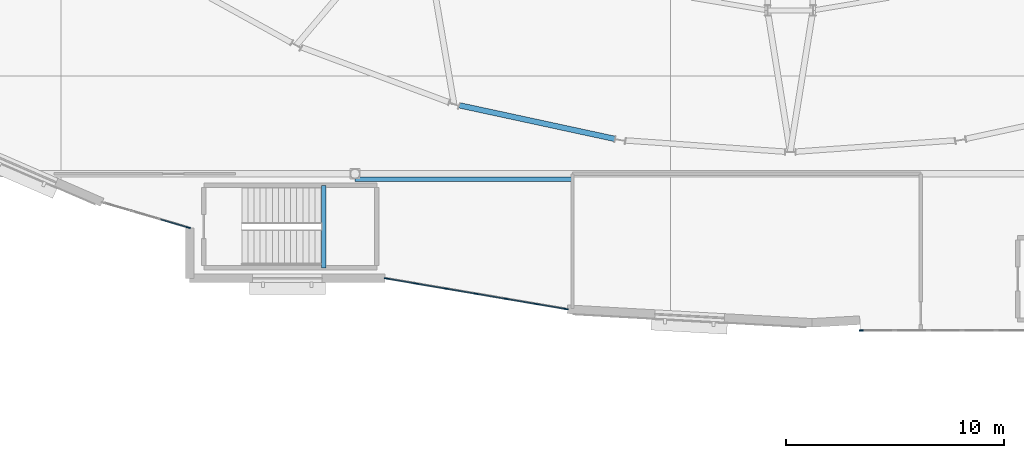
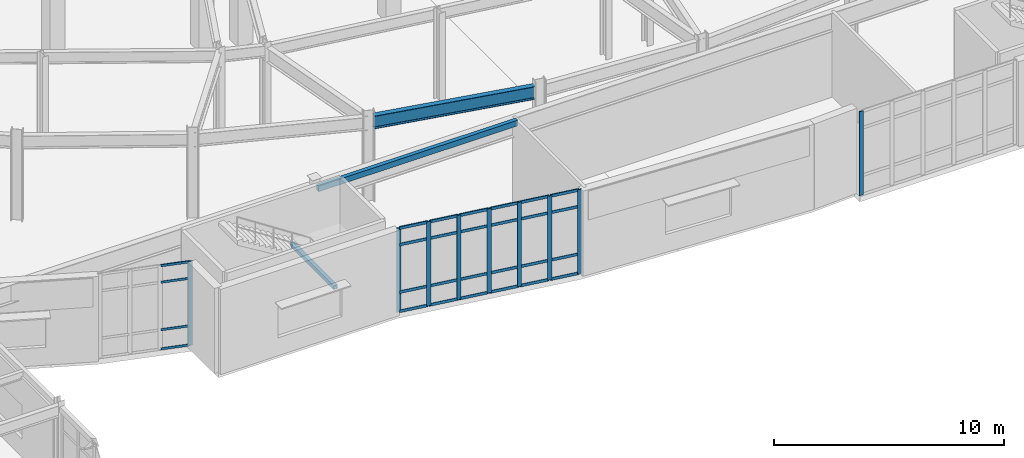
# One storey, part 34 of 86: 37 members, 3 beams, 3 elements without a shape of their own.
"""IFC4 building model written with IfcOpenShell, lengths in metres."""

from ifc_helpers import new_model, si_unit, direction, frame, origin, origin_2d, place, context, subcontext, project, spatial, rectangle, hollow_rectangle, i_section, extrude, material, material_profile, profile_set, type_object, element, aggregate, save


model = new_model("IFC4")

# Units and contexts
model_context = context("Model", 3, precision=1e-05, world=origin(), true_north=direction((0.0, 1.0)))
body_context = subcontext(model_context, "Body", "Model", "MODEL_VIEW")
ifc_project = project(units=[si_unit("LENGTHUNIT", "METRE"), si_unit("AREAUNIT", "SQUARE_METRE"), si_unit("VOLUMEUNIT", "CUBIC_METRE"), si_unit("PLANEANGLEUNIT", "RADIAN"), si_unit("MASSUNIT", "GRAM", prefix="KILO")], contexts=[model_context])

# Site, building, storey
site_placement = place(None, origin())
site = spatial("IfcSite", under=ifc_project, at=site_placement, CompositionType="ELEMENT")
building_placement = place(site_placement, origin())
building = spatial("IfcBuilding", under=site, at=building_placement, Name="Glasvene Arena", CompositionType="ELEMENT")
storey_placement = place(building_placement, frame((0.0, 0.0, 5.39990234375)))
storey = spatial("IfcBuildingStorey", under=building, at=storey_placement, Name="L01", CompositionType="ELEMENT", Elevation=5.39990234375)

# Beams
ifc_material_1 = material(Name="Steel S355J2", Category="steel")
ifc_material_profile_1 = material_profile(ifc_material_1, i_section(OverallWidth=0.253662109375, OverallDepth=0.68359375, WebThickness=0.012451171875, FlangeThickness=0.01904296875, FilletRadius=0.01513671875, at=origin_2d()), Name="UKB 686x254x140")
ifc_profile_set_1 = profile_set([ifc_material_profile_1], Name="Steel S355J2")
beam_type_1 = type_object("IfcBeamType", Name="BM-GIRD-686", PredefinedType="BEAM", material=ifc_profile_set_1)
beam_1_placement = place(storey_placement, frame((76.78369140625, 30.15185546875, 4.178466796875), z_axis=(0.97744150895, -0.211206289161, 0.0), x_axis=(0.211206289161, 0.97744150895, 0.0)))
element("IfcBeam", 1, at=beam_1_placement, inside=storey, type_object=beam_type_1, Name="Bowl ring chord beam L01-29", PredefinedType="BEAM", context=body_context, shape_type="SweptSolid", body=[
    extrude(i_section(OverallWidth=0.253662109375, OverallDepth=0.68359375, WebThickness=0.012451171875, FlangeThickness=0.01904296875, FilletRadius=0.01513671875, at=origin_2d()), origin(), (0.0, 0.0, 1.0), 7.3251953125),
])
ifc_material_profile_2 = material_profile(ifc_material_1, hollow_rectangle(XDim=0.199951171875, YDim=0.199951171875, WallThickness=0.010009765625, at=origin_2d()), Name="SHS 200x200x10.0")
ifc_profile_set_2 = profile_set([ifc_material_profile_2], Name="Steel S355J2")
beam_type_2 = type_object("IfcBeamType", Name="BM-LINTEL-200", PredefinedType="LINTEL", material=ifc_profile_set_2)
beam_2_placement = place(storey_placement, frame((70.56005859375, 22.679931640625, 2.080078125), z_axis=(0.0, 1.0, 0.0), x_axis=(-1.0, 0.0, 0.0)))
element("IfcBeam", 2, at=beam_2_placement, inside=storey, type_object=beam_type_2, Name="Stair half-landing support beam ST-08-L01", PredefinedType="LINTEL", context=body_context, shape_type="SweptSolid", body=[
    extrude(hollow_rectangle(XDim=0.199951171875, YDim=0.199951171875, WallThickness=0.010009765625, at=origin_2d()), origin(), (0.0, 0.0, 1.0), 3.7900390625),
])
ifc_material_profile_3 = material_profile(ifc_material_1, hollow_rectangle(XDim=0.199951171875, YDim=0.300048828125, WallThickness=0.012451171875, at=origin_2d()), Name="RHS 300x200x12.5")
ifc_profile_set_3 = profile_set([ifc_material_profile_3], Name="Steel S355J2")
beam_type_3 = type_object("IfcBeamType", Name="BM-SPAND-300", PredefinedType="SPANDREL", material=ifc_profile_set_3)
beam_3_placement = place(storey_placement, frame((72.0, 26.75, 4.3701171875), z_axis=(1.0, 0.0, 0.0), x_axis=(0.0, 1.0, 0.0)))
element("IfcBeam", 3, at=beam_3_placement, inside=storey, type_object=beam_type_3, Name="Step 2 south edge spandrel L01", PredefinedType="SPANDREL", context=body_context, shape_type="SweptSolid", body=[
    extrude(hollow_rectangle(XDim=0.199951171875, YDim=0.300048828125, WallThickness=0.012451171875, at=origin_2d()), origin(), (0.0, 0.0, 1.0), 10.0),
])

# Curtain wall, member
ifc_material_2 = material(Name="Low-emissivity laminated double glazing", Category="glass")
curtain_wall_type_1 = type_object("IfcCurtainWallType", Name="CW-FAC-L01-777x446", PredefinedType="USERDEFINED", material=ifc_material_2)
curtain_wall_1_placement = place(storey_placement, frame((103.010009765625, 19.800048828125, 0.0)))
curtain_wall_1 = element("IfcCurtainWall", 4, at=curtain_wall_1_placement, inside=storey, type_object=curtain_wall_type_1, Name="Unitised curtain wall CW-F-L01-180-991-198-43", ObjectType="CURTAIN WALL", PredefinedType="USERDEFINED")
ifc_material_3 = material(Name="Anodised architectural aluminium", Category="aluminium")
ifc_material_profile_4 = material_profile(ifc_material_3, rectangle(XDim=0.050048828125, YDim=0.199951171875, at=origin_2d()), Name="ALU MULLION 50x200")
ifc_profile_set_4 = profile_set([ifc_material_profile_4], Name="Anodised architectural aluminium")
member_type_1 = type_object("IfcMemberType", Name="CW-MUL-180", PredefinedType="MULLION", material=ifc_profile_set_4)
member_1_placement = place(storey_placement, frame((95.264892578125, 19.800048828125, 0.06005859375), z_axis=(0.0, 0.0, 1.0), x_axis=(0.0, -1.0, 0.0)))
member_1 = element("IfcMember", 5, at=member_1_placement, type_object=member_type_1, Name="CW-013 mullion 6", PredefinedType="MULLION", context=body_context, shape_type="SweptSolid", body=[
    extrude(rectangle(XDim=0.050048828125, YDim=0.199951171875, at=origin_2d()), origin(), (0.0, 0.0, 1.0), 4.4599609375),
])
aggregate(curtain_wall_1, [member_1])

# Curtain wall, members
curtain_wall_type_2 = type_object("IfcCurtainWallType", Name="CW-FAC-L01-842x446", PredefinedType="USERDEFINED", material=ifc_material_2)
curtain_wall_2_placement = place(storey_placement, frame((81.720703125, 20.78271484375, 0.0)))
curtain_wall_2 = element("IfcCurtainWall", 6, at=curtain_wall_2_placement, inside=storey, type_object=curtain_wall_type_2, Name="Unitised curtain wall CW-F-L01-180-776-215-46", ObjectType="CURTAIN WALL", PredefinedType="USERDEFINED")
member_2_placement = place(storey_placement, frame((81.696044921875, 20.786865234375, 0.06005859375), z_axis=(0.0, 0.0, 1.0), x_axis=(-0.167514008144, -0.985869695789, 0.0)))
member_2 = element("IfcMember", 7, at=member_2_placement, type_object=member_type_1, Name="CW-014 mullion 1", PredefinedType="MULLION", context=body_context, shape_type="SweptSolid", body=[
    extrude(rectangle(XDim=0.050048828125, YDim=0.199951171875, at=origin_2d()), origin(), (0.0, 0.0, 1.0), 4.4599609375),
])
member_3_placement = place(storey_placement, frame((80.337158203125, 21.017822265625, 0.06005859375), z_axis=(0.0, 0.0, 1.0), x_axis=(-0.167514008144, -0.985869695789, 0.0)))
member_3 = element("IfcMember", 8, at=member_3_placement, type_object=member_type_1, Name="CW-014 mullion 2", PredefinedType="MULLION", context=body_context, shape_type="SweptSolid", body=[
    extrude(rectangle(XDim=0.050048828125, YDim=0.199951171875, at=origin_2d()), origin(), (0.0, 0.0, 1.0), 4.4599609375),
])
member_4_placement = place(storey_placement, frame((78.95361328125, 21.2529296875, 0.06005859375), z_axis=(0.0, 0.0, 1.0), x_axis=(-0.167514008144, -0.985869695789, 0.0)))
member_4 = element("IfcMember", 9, at=member_4_placement, type_object=member_type_1, Name="CW-014 mullion 3", PredefinedType="MULLION", context=body_context, shape_type="SweptSolid", body=[
    extrude(rectangle(XDim=0.050048828125, YDim=0.199951171875, at=origin_2d()), origin(), (0.0, 0.0, 1.0), 4.4599609375),
])
member_5_placement = place(storey_placement, frame((77.56982421875, 21.488037109375, 0.06005859375), z_axis=(0.0, 0.0, 1.0), x_axis=(-0.167514008144, -0.985869695789, 0.0)))
member_5 = element("IfcMember", 10, at=member_5_placement, type_object=member_type_1, Name="CW-014 mullion 4", PredefinedType="MULLION", context=body_context, shape_type="SweptSolid", body=[
    extrude(rectangle(XDim=0.050048828125, YDim=0.199951171875, at=origin_2d()), origin(), (0.0, 0.0, 1.0), 4.4599609375),
])
member_6_placement = place(storey_placement, frame((76.186279296875, 21.72314453125, 0.06005859375), z_axis=(0.0, 0.0, 1.0), x_axis=(-0.167514008144, -0.985869695789, 0.0)))
member_6 = element("IfcMember", 11, at=member_6_placement, type_object=member_type_1, Name="CW-014 mullion 5", PredefinedType="MULLION", context=body_context, shape_type="SweptSolid", body=[
    extrude(rectangle(XDim=0.050048828125, YDim=0.199951171875, at=origin_2d()), origin(), (0.0, 0.0, 1.0), 4.4599609375),
])
member_7_placement = place(storey_placement, frame((74.802734375, 21.958251953125, 0.06005859375), z_axis=(0.0, 0.0, 1.0), x_axis=(-0.167514008144, -0.985869695789, 0.0)))
member_7 = element("IfcMember", 12, at=member_7_placement, type_object=member_type_1, Name="CW-014 mullion 6", PredefinedType="MULLION", context=body_context, shape_type="SweptSolid", body=[
    extrude(rectangle(XDim=0.050048828125, YDim=0.199951171875, at=origin_2d()), origin(), (0.0, 0.0, 1.0), 4.4599609375),
])
member_8_placement = place(storey_placement, frame((73.443603515625, 22.189208984375, 0.06005859375), z_axis=(0.0, 0.0, 1.0), x_axis=(-0.167514008144, -0.985869695789, 0.0)))
member_8 = element("IfcMember", 13, at=member_8_placement, type_object=member_type_1, Name="CW-014 mullion 7", PredefinedType="MULLION", context=body_context, shape_type="SweptSolid", body=[
    extrude(rectangle(XDim=0.050048828125, YDim=0.199951171875, at=origin_2d()), origin(), (0.0, 0.0, 1.0), 4.4599609375),
])

curtain_wall_type_3 = type_object("IfcCurtainWallType", Name="CW-FAC-L01-411x446", PredefinedType="USERDEFINED", material=ifc_material_2)
curtain_wall_3_placement = place(storey_placement, frame((64.361572265625, 24.525390625, 0.0)))
curtain_wall_3 = element("IfcCurtainWall", 14, at=curtain_wall_3_placement, inside=storey, type_object=curtain_wall_type_3, Name="Unitised curtain wall CW-F-L01-180-624-251-49", ObjectType="CURTAIN WALL", PredefinedType="USERDEFINED")
member_9_placement = place(storey_placement, frame((64.337646484375, 24.532470703125, 0.06005859375), z_axis=(0.0, 0.0, 1.0), x_axis=(-0.28128589414, -0.959624012704, 0.0)))
member_9 = element("IfcMember", 15, at=member_9_placement, type_object=member_type_1, Name="CW-015 mullion 1", PredefinedType="MULLION", context=body_context, shape_type="SweptSolid", body=[
    extrude(rectangle(XDim=0.050048828125, YDim=0.199951171875, at=origin_2d()), origin(), (0.0, 0.0, 1.0), 4.4599609375),
])
ifc_material_profile_5 = material_profile(ifc_material_3, rectangle(XDim=0.050048828125, YDim=0.1201171875, at=origin_2d()), Name="ALU TRANSOM 50x120")
ifc_profile_set_5 = profile_set([ifc_material_profile_5], Name="Anodised architectural aluminium")
member_type_2 = type_object("IfcMemberType", Name="CW-TRN-120", PredefinedType="USERDEFINED", material=ifc_profile_set_5)
member_10_placement = place(storey_placement, frame((64.313720703125, 24.53955078125, 0.085205078125), z_axis=(-0.959644341566, 0.281216531697, 0.0), x_axis=(-0.281216531697, -0.959644341566, 0.0)))
member_10 = element("IfcMember", 16, at=member_10_placement, type_object=member_type_2, Name="CW-015 transom 1.1", ObjectType="TRANSOM", PredefinedType="USERDEFINED", context=body_context, shape_type="SweptSolid", body=[
    extrude(rectangle(XDim=0.050048828125, YDim=0.1201171875, at=origin_2d()), origin(), (0.0, 0.0, 1.0), 1.29443359375),
])
member_11_placement = place(storey_placement, frame((64.313720703125, 24.53955078125, 1.10009765625), z_axis=(-0.959644341566, 0.281216531697, 0.0), x_axis=(-0.281216531697, -0.959644341566, 0.0)))
member_11 = element("IfcMember", 17, at=member_11_placement, type_object=member_type_2, Name="CW-015 transom 1.2", ObjectType="TRANSOM", PredefinedType="USERDEFINED", context=body_context, shape_type="SweptSolid", body=[
    extrude(rectangle(XDim=0.050048828125, YDim=0.1201171875, at=origin_2d()), origin(), (0.0, 0.0, 1.0), 1.29443359375),
])
member_12_placement = place(storey_placement, frame((64.313720703125, 24.53955078125, 3.6201171875), z_axis=(-0.959644341566, 0.281216531697, 0.0), x_axis=(-0.281216531697, -0.959644341566, 0.0)))
member_12 = element("IfcMember", 18, at=member_12_placement, type_object=member_type_2, Name="CW-015 transom 1.3", ObjectType="TRANSOM", PredefinedType="USERDEFINED", context=body_context, shape_type="SweptSolid", body=[
    extrude(rectangle(XDim=0.050048828125, YDim=0.1201171875, at=origin_2d()), origin(), (0.0, 0.0, 1.0), 1.29443359375),
])
member_13_placement = place(storey_placement, frame((64.313720703125, 24.53955078125, 4.4951171875), z_axis=(-0.959644341566, 0.281216531697, 0.0), x_axis=(-0.281216531697, -0.959644341566, 0.0)))
member_13 = element("IfcMember", 19, at=member_13_placement, type_object=member_type_2, Name="CW-015 transom 1.4", ObjectType="TRANSOM", PredefinedType="USERDEFINED", context=body_context, shape_type="SweptSolid", body=[
    extrude(rectangle(XDim=0.050048828125, YDim=0.1201171875, at=origin_2d()), origin(), (0.0, 0.0, 1.0), 1.29443359375),
])
aggregate(curtain_wall_3, [member_9, member_10, member_11, member_12, member_13])

# Member
ifc_material_profile_6 = material_profile(ifc_material_3, rectangle(XDim=0.050048828125, YDim=0.14990234375, at=origin_2d()), Name="ALU TRANSOM 50x150")
ifc_profile_set_6 = profile_set([ifc_material_profile_6], Name="Anodised architectural aluminium")
member_type_3 = type_object("IfcMemberType", Name="CW-TRN-150", PredefinedType="USERDEFINED", material=ifc_profile_set_6)
member_14_placement = place(storey_placement, frame((81.67138671875, 20.791015625, 0.085205078125), z_axis=(-0.985852202423, 0.167616929271, 0.0), x_axis=(-0.167616929271, -0.985852202423, 0.0)))
member_14 = element("IfcMember", 20, at=member_14_placement, type_object=member_type_3, Name="CW-014 transom 1.1", ObjectType="TRANSOM", PredefinedType="USERDEFINED", context=body_context, shape_type="SweptSolid", body=[
    extrude(rectangle(XDim=0.050048828125, YDim=0.14990234375, at=origin_2d()), origin(), (0.0, 0.0, 1.0), 1.328369140625),
])

member_15_placement = place(storey_placement, frame((81.67138671875, 20.791015625, 1.10009765625), z_axis=(-0.985852202423, 0.167616929271, 0.0), x_axis=(-0.167616929271, -0.985852202423, 0.0)))
member_15 = element("IfcMember", 21, at=member_15_placement, type_object=member_type_3, Name="CW-014 transom 1.2", ObjectType="TRANSOM", PredefinedType="USERDEFINED", context=body_context, shape_type="SweptSolid", body=[
    extrude(rectangle(XDim=0.050048828125, YDim=0.14990234375, at=origin_2d()), origin(), (0.0, 0.0, 1.0), 1.328369140625),
])

member_16_placement = place(storey_placement, frame((81.67138671875, 20.791015625, 3.6201171875), z_axis=(-0.985852202423, 0.167616929271, 0.0), x_axis=(-0.167616929271, -0.985852202423, 0.0)))
member_16 = element("IfcMember", 22, at=member_16_placement, type_object=member_type_3, Name="CW-014 transom 1.3", ObjectType="TRANSOM", PredefinedType="USERDEFINED", context=body_context, shape_type="SweptSolid", body=[
    extrude(rectangle(XDim=0.050048828125, YDim=0.14990234375, at=origin_2d()), origin(), (0.0, 0.0, 1.0), 1.328369140625),
])

member_17_placement = place(storey_placement, frame((81.67138671875, 20.791015625, 4.4951171875), z_axis=(-0.985852202423, 0.167616929271, 0.0), x_axis=(-0.167616929271, -0.985852202423, 0.0)))
member_17 = element("IfcMember", 23, at=member_17_placement, type_object=member_type_3, Name="CW-014 transom 1.4", ObjectType="TRANSOM", PredefinedType="USERDEFINED", context=body_context, shape_type="SweptSolid", body=[
    extrude(rectangle(XDim=0.050048828125, YDim=0.14990234375, at=origin_2d()), origin(), (0.0, 0.0, 1.0), 1.328369140625),
])

member_18_placement = place(storey_placement, frame((80.3125, 21.02197265625, 0.085205078125), z_axis=(-0.985857336917, 0.167586727538, 0.0), x_axis=(-0.167586727538, -0.985857336917, 0.0)))
member_18 = element("IfcMember", 24, at=member_18_placement, type_object=member_type_3, Name="CW-014 transom 2.1", ObjectType="TRANSOM", PredefinedType="USERDEFINED", context=body_context, shape_type="SweptSolid", body=[
    extrude(rectangle(XDim=0.050048828125, YDim=0.14990234375, at=origin_2d()), origin(), (0.0, 0.0, 1.0), 1.353271484375),
])

member_19_placement = place(storey_placement, frame((80.3125, 21.02197265625, 1.10009765625), z_axis=(-0.985857336917, 0.167586727538, 0.0), x_axis=(-0.167586727538, -0.985857336917, 0.0)))
member_19 = element("IfcMember", 25, at=member_19_placement, type_object=member_type_3, Name="CW-014 transom 2.2", ObjectType="TRANSOM", PredefinedType="USERDEFINED", context=body_context, shape_type="SweptSolid", body=[
    extrude(rectangle(XDim=0.050048828125, YDim=0.14990234375, at=origin_2d()), origin(), (0.0, 0.0, 1.0), 1.353271484375),
])

member_20_placement = place(storey_placement, frame((80.3125, 21.02197265625, 3.6201171875), z_axis=(-0.985857336917, 0.167586727538, 0.0), x_axis=(-0.167586727538, -0.985857336917, 0.0)))
member_20 = element("IfcMember", 26, at=member_20_placement, type_object=member_type_3, Name="CW-014 transom 2.3", ObjectType="TRANSOM", PredefinedType="USERDEFINED", context=body_context, shape_type="SweptSolid", body=[
    extrude(rectangle(XDim=0.050048828125, YDim=0.14990234375, at=origin_2d()), origin(), (0.0, 0.0, 1.0), 1.353271484375),
])

member_21_placement = place(storey_placement, frame((80.3125, 21.02197265625, 4.4951171875), z_axis=(-0.985857336917, 0.167586727538, 0.0), x_axis=(-0.167586727538, -0.985857336917, 0.0)))
member_21 = element("IfcMember", 27, at=member_21_placement, type_object=member_type_3, Name="CW-014 transom 2.4", ObjectType="TRANSOM", PredefinedType="USERDEFINED", context=body_context, shape_type="SweptSolid", body=[
    extrude(rectangle(XDim=0.050048828125, YDim=0.14990234375, at=origin_2d()), origin(), (0.0, 0.0, 1.0), 1.353271484375),
])

member_22_placement = place(storey_placement, frame((78.928955078125, 21.257080078125, 0.085205078125), z_axis=(-0.985862402009, 0.167556928552, 0.0), x_axis=(-0.167556928552, -0.985862402009, 0.0)))
member_22 = element("IfcMember", 28, at=member_22_placement, type_object=member_type_3, Name="CW-014 transom 3.1", ObjectType="TRANSOM", PredefinedType="USERDEFINED", context=body_context, shape_type="SweptSolid", body=[
    extrude(rectangle(XDim=0.050048828125, YDim=0.14990234375, at=origin_2d()), origin(), (0.0, 0.0, 1.0), 1.353515625),
])

member_23_placement = place(storey_placement, frame((78.928955078125, 21.257080078125, 1.10009765625), z_axis=(-0.985862402009, 0.167556928552, 0.0), x_axis=(-0.167556928552, -0.985862402009, 0.0)))
member_23 = element("IfcMember", 29, at=member_23_placement, type_object=member_type_3, Name="CW-014 transom 3.2", ObjectType="TRANSOM", PredefinedType="USERDEFINED", context=body_context, shape_type="SweptSolid", body=[
    extrude(rectangle(XDim=0.050048828125, YDim=0.14990234375, at=origin_2d()), origin(), (0.0, 0.0, 1.0), 1.353515625),
])

member_24_placement = place(storey_placement, frame((78.928955078125, 21.257080078125, 3.6201171875), z_axis=(-0.985862402009, 0.167556928552, 0.0), x_axis=(-0.167556928552, -0.985862402009, 0.0)))
member_24 = element("IfcMember", 30, at=member_24_placement, type_object=member_type_3, Name="CW-014 transom 3.3", ObjectType="TRANSOM", PredefinedType="USERDEFINED", context=body_context, shape_type="SweptSolid", body=[
    extrude(rectangle(XDim=0.050048828125, YDim=0.14990234375, at=origin_2d()), origin(), (0.0, 0.0, 1.0), 1.353515625),
])

member_25_placement = place(storey_placement, frame((78.928955078125, 21.257080078125, 4.4951171875), z_axis=(-0.985862402009, 0.167556928552, 0.0), x_axis=(-0.167556928552, -0.985862402009, 0.0)))
member_25 = element("IfcMember", 31, at=member_25_placement, type_object=member_type_3, Name="CW-014 transom 3.4", ObjectType="TRANSOM", PredefinedType="USERDEFINED", context=body_context, shape_type="SweptSolid", body=[
    extrude(rectangle(XDim=0.050048828125, YDim=0.14990234375, at=origin_2d()), origin(), (0.0, 0.0, 1.0), 1.353515625),
])

member_26_placement = place(storey_placement, frame((77.545166015625, 21.4921875, 0.085205078125), z_axis=(-0.985857336917, 0.167586727538, 0.0), x_axis=(-0.167586727538, -0.985857336917, 0.0)))
member_26 = element("IfcMember", 32, at=member_26_placement, type_object=member_type_3, Name="CW-014 transom 4.1", ObjectType="TRANSOM", PredefinedType="USERDEFINED", context=body_context, shape_type="SweptSolid", body=[
    extrude(rectangle(XDim=0.050048828125, YDim=0.14990234375, at=origin_2d()), origin(), (0.0, 0.0, 1.0), 1.353271484375),
])

member_27_placement = place(storey_placement, frame((77.545166015625, 21.4921875, 1.10009765625), z_axis=(-0.985857336917, 0.167586727538, 0.0), x_axis=(-0.167586727538, -0.985857336917, 0.0)))
member_27 = element("IfcMember", 33, at=member_27_placement, type_object=member_type_3, Name="CW-014 transom 4.2", ObjectType="TRANSOM", PredefinedType="USERDEFINED", context=body_context, shape_type="SweptSolid", body=[
    extrude(rectangle(XDim=0.050048828125, YDim=0.14990234375, at=origin_2d()), origin(), (0.0, 0.0, 1.0), 1.353271484375),
])

member_28_placement = place(storey_placement, frame((77.545166015625, 21.4921875, 3.6201171875), z_axis=(-0.985857336917, 0.167586727538, 0.0), x_axis=(-0.167586727538, -0.985857336917, 0.0)))
member_28 = element("IfcMember", 34, at=member_28_placement, type_object=member_type_3, Name="CW-014 transom 4.3", ObjectType="TRANSOM", PredefinedType="USERDEFINED", context=body_context, shape_type="SweptSolid", body=[
    extrude(rectangle(XDim=0.050048828125, YDim=0.14990234375, at=origin_2d()), origin(), (0.0, 0.0, 1.0), 1.353271484375),
])

member_29_placement = place(storey_placement, frame((77.545166015625, 21.4921875, 4.4951171875), z_axis=(-0.985857336917, 0.167586727538, 0.0), x_axis=(-0.167586727538, -0.985857336917, 0.0)))
member_29 = element("IfcMember", 35, at=member_29_placement, type_object=member_type_3, Name="CW-014 transom 4.4", ObjectType="TRANSOM", PredefinedType="USERDEFINED", context=body_context, shape_type="SweptSolid", body=[
    extrude(rectangle(XDim=0.050048828125, YDim=0.14990234375, at=origin_2d()), origin(), (0.0, 0.0, 1.0), 1.353271484375),
])

member_30_placement = place(storey_placement, frame((76.16162109375, 21.727294921875, 0.085205078125), z_axis=(-0.985857336917, 0.167586727538, 0.0), x_axis=(-0.167586727538, -0.985857336917, 0.0)))
member_30 = element("IfcMember", 36, at=member_30_placement, type_object=member_type_3, Name="CW-014 transom 5.1", ObjectType="TRANSOM", PredefinedType="USERDEFINED", context=body_context, shape_type="SweptSolid", body=[
    extrude(rectangle(XDim=0.050048828125, YDim=0.14990234375, at=origin_2d()), origin(), (0.0, 0.0, 1.0), 1.353271484375),
])

member_31_placement = place(storey_placement, frame((76.16162109375, 21.727294921875, 1.10009765625), z_axis=(-0.985857336917, 0.167586727538, 0.0), x_axis=(-0.167586727538, -0.985857336917, 0.0)))
member_31 = element("IfcMember", 37, at=member_31_placement, type_object=member_type_3, Name="CW-014 transom 5.2", ObjectType="TRANSOM", PredefinedType="USERDEFINED", context=body_context, shape_type="SweptSolid", body=[
    extrude(rectangle(XDim=0.050048828125, YDim=0.14990234375, at=origin_2d()), origin(), (0.0, 0.0, 1.0), 1.353271484375),
])

member_32_placement = place(storey_placement, frame((76.16162109375, 21.727294921875, 3.6201171875), z_axis=(-0.985857336917, 0.167586727538, 0.0), x_axis=(-0.167586727538, -0.985857336917, 0.0)))
member_32 = element("IfcMember", 38, at=member_32_placement, type_object=member_type_3, Name="CW-014 transom 5.3", ObjectType="TRANSOM", PredefinedType="USERDEFINED", context=body_context, shape_type="SweptSolid", body=[
    extrude(rectangle(XDim=0.050048828125, YDim=0.14990234375, at=origin_2d()), origin(), (0.0, 0.0, 1.0), 1.353271484375),
])

member_33_placement = place(storey_placement, frame((76.16162109375, 21.727294921875, 4.4951171875), z_axis=(-0.985857336917, 0.167586727538, 0.0), x_axis=(-0.167586727538, -0.985857336917, 0.0)))
member_33 = element("IfcMember", 39, at=member_33_placement, type_object=member_type_3, Name="CW-014 transom 5.4", ObjectType="TRANSOM", PredefinedType="USERDEFINED", context=body_context, shape_type="SweptSolid", body=[
    extrude(rectangle(XDim=0.050048828125, YDim=0.14990234375, at=origin_2d()), origin(), (0.0, 0.0, 1.0), 1.353271484375),
])

member_34_placement = place(storey_placement, frame((74.778076171875, 21.96240234375, 0.085205078125), z_axis=(-0.985887709161, 0.167407959561, 0.0), x_axis=(-0.167407959561, -0.985887709161, 0.0)))
member_34 = element("IfcMember", 40, at=member_34_placement, type_object=member_type_3, Name="CW-014 transom 6.1", ObjectType="TRANSOM", PredefinedType="USERDEFINED", context=body_context, shape_type="SweptSolid", body=[
    extrude(rectangle(XDim=0.050048828125, YDim=0.14990234375, at=origin_2d()), origin(), (0.0, 0.0, 1.0), 1.32861328125),
])

member_35_placement = place(storey_placement, frame((74.778076171875, 21.96240234375, 1.10009765625), z_axis=(-0.985887709161, 0.167407959561, 0.0), x_axis=(-0.167407959561, -0.985887709161, 0.0)))
member_35 = element("IfcMember", 41, at=member_35_placement, type_object=member_type_3, Name="CW-014 transom 6.2", ObjectType="TRANSOM", PredefinedType="USERDEFINED", context=body_context, shape_type="SweptSolid", body=[
    extrude(rectangle(XDim=0.050048828125, YDim=0.14990234375, at=origin_2d()), origin(), (0.0, 0.0, 1.0), 1.32861328125),
])

member_36_placement = place(storey_placement, frame((74.778076171875, 21.96240234375, 3.6201171875), z_axis=(-0.985887709161, 0.167407959561, 0.0), x_axis=(-0.167407959561, -0.985887709161, 0.0)))
member_36 = element("IfcMember", 42, at=member_36_placement, type_object=member_type_3, Name="CW-014 transom 6.3", ObjectType="TRANSOM", PredefinedType="USERDEFINED", context=body_context, shape_type="SweptSolid", body=[
    extrude(rectangle(XDim=0.050048828125, YDim=0.14990234375, at=origin_2d()), origin(), (0.0, 0.0, 1.0), 1.32861328125),
])

member_37_placement = place(storey_placement, frame((74.778076171875, 21.96240234375, 4.4951171875), z_axis=(-0.985887709161, 0.167407959561, 0.0), x_axis=(-0.167407959561, -0.985887709161, 0.0)))
member_37 = element("IfcMember", 43, at=member_37_placement, type_object=member_type_3, Name="CW-014 transom 6.4", ObjectType="TRANSOM", PredefinedType="USERDEFINED", context=body_context, shape_type="SweptSolid", body=[
    extrude(rectangle(XDim=0.050048828125, YDim=0.14990234375, at=origin_2d()), origin(), (0.0, 0.0, 1.0), 1.32861328125),
])

aggregate(curtain_wall_2, [member_2, member_3, member_4, member_5, member_6, member_7, member_8, member_14, member_15, member_16, member_17, member_18, member_19, member_20, member_21, member_22, member_23, member_24, member_25, member_26, member_27, member_28, member_29, member_30, member_31, member_32, member_33, member_34, member_35, member_36, member_37])

save(model, "model.ifc")
